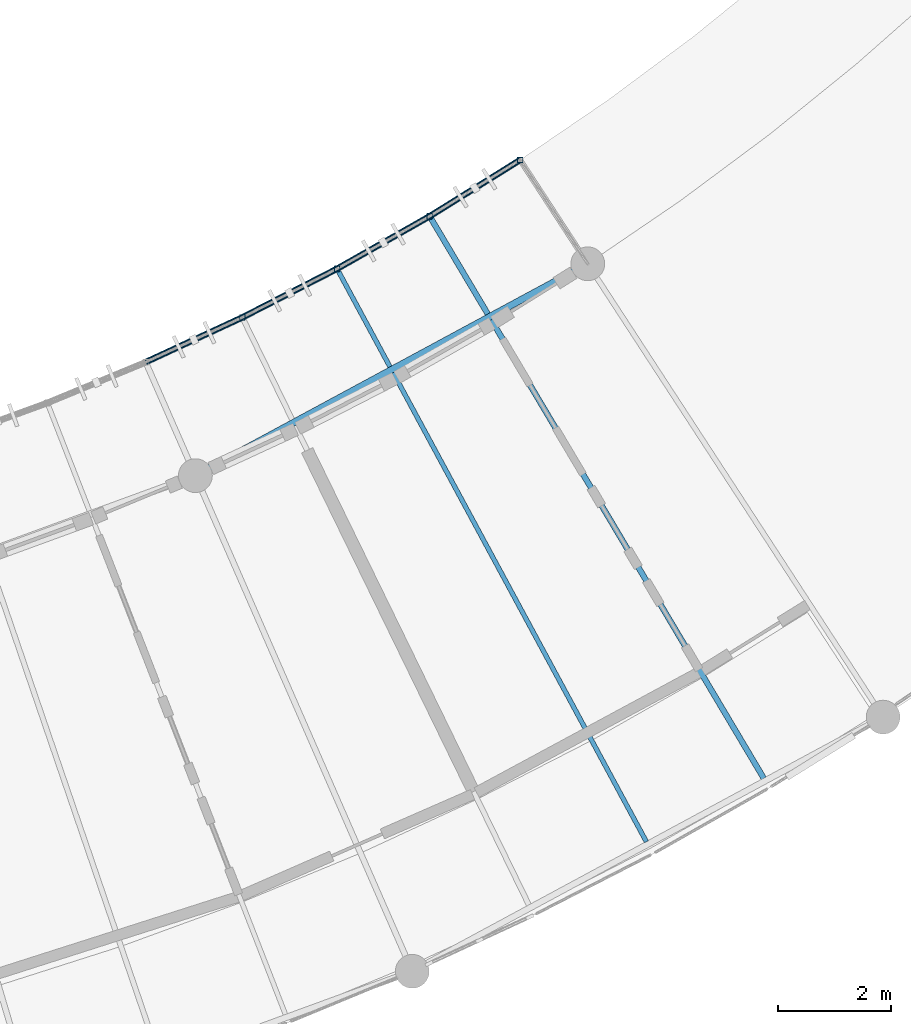
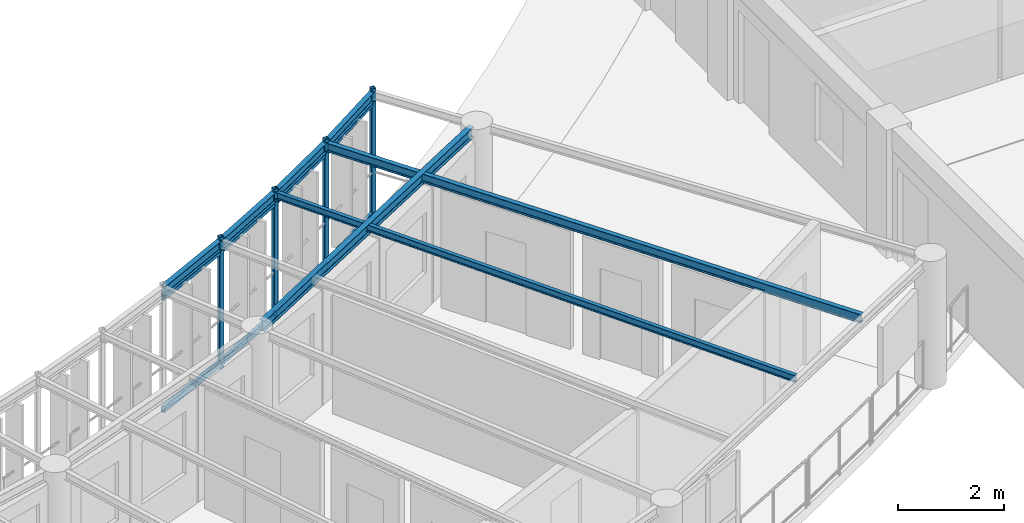
# One storey, part 21 of 100: 12 members, 7 beams.
"""IFC4 building model written with IfcOpenShell, lengths in metres."""

import ifcopenshell
import ifcopenshell.guid

model = None  # the IFC model being written
_history = None  # IfcOwnerHistory: only IFC2X3 demands one
_inside = {}  # id of a spatial element -> (the spatial element, [elements in it])
_under = {}  # id of a project, library or spatial element -> (it, [spatial elements below it])
_declared = {}  # id of a project -> (the project, [libraries it declares])
_typed = {}  # id of a type object -> (the type object, [elements of that type])
_made_of = {}  # id of a material, layer set ... -> (it, [elements and type objects made of it])


def new_model(schema):
    """Start an empty IFC model of exactly this schema.

    Asked for "IFC4X3", IfcOpenShell would pick the latest addendum, in which some entities
    have other attributes; the version numbers below select the first issue.
    IFC2X3 requires an IfcOwnerHistory on every rooted entity: one is made here for all.
    """
    global model, _history
    if schema == "IFC4X3":
        model = ifcopenshell.file(schema_version=(4, 3, 0, 0))
    else:
        model = ifcopenshell.file(schema=schema)
    _inside.clear()
    _under.clear()
    _declared.clear()
    _typed.clear()
    _made_of.clear()
    _history = None
    if model.schema == "IFC2X3":
        org = make("IfcOrganization", Name="unknown")
        user = make(
            "IfcPersonAndOrganization",
            ThePerson=make("IfcPerson", FamilyName="unknown"),
            TheOrganization=org,
        )
        app = make(
            "IfcApplication",
            ApplicationDeveloper=org,
            Version="unknown",
            ApplicationFullName="unknown",
            ApplicationIdentifier="unknown",
        )
        _history = make(
            "IfcOwnerHistory",
            OwningUser=user,
            OwningApplication=app,
            ChangeAction="ADDED",
            CreationDate=0,
        )
    return model


def make(cls, **values):
    """One entity of the class cls with the attributes given. An attribute that is None is left unset."""
    return model.create_entity(
        cls, **{name: value for name, value in values.items() if value is not None}
    )


def rooted(cls, **values):
    """An entity with a GlobalId (a new one), such as an element, a storey or a relation."""
    return make(cls, GlobalId=ifcopenshell.guid.new(), OwnerHistory=_history, **values)


def si_unit(unit_type, name, prefix=None):
    """IfcSIUnit, for example si_unit("LENGTHUNIT", "METRE", prefix="MILLI")."""
    return make("IfcSIUnit", UnitType=unit_type, Prefix=prefix, Name=name)


def assignment(units):
    """IfcUnitAssignment: the units of a project."""
    return None if units is None else make("IfcUnitAssignment", Units=units)


def point(xyz):
    """IfcCartesianPoint."""
    return None if xyz is None else make("IfcCartesianPoint", Coordinates=xyz)


def direction(xyz):
    """IfcDirection."""
    return None if xyz is None else make("IfcDirection", DirectionRatios=xyz)


def frame(location, z_axis=None, x_axis=None):
    """IfcAxis2Placement3D, a coordinate frame: its origin and axes. An axis left out is left unset."""
    return make(
        "IfcAxis2Placement3D",
        Location=point(location),
        Axis=direction(z_axis),
        RefDirection=direction(x_axis),
    )


def frame_2d(location, x_axis=None):
    """IfcAxis2Placement2D, a coordinate frame in the plane: its origin and x axis."""
    return make(
        "IfcAxis2Placement2D", Location=point(location), RefDirection=direction(x_axis)
    )


def origin():
    """The frame at (0, 0, 0) with its axes left unset."""
    return frame((0.0, 0.0, 0.0))


def origin_2d():
    """The frame at (0, 0) in the plane with its x axis left unset."""
    return frame_2d((0.0, 0.0))


def place(relative_to, where):
    """IfcLocalPlacement: puts the frame where relative to a parent placement (None: the world)."""
    return make(
        "IfcLocalPlacement", PlacementRelTo=relative_to, RelativePlacement=where
    )


def context(
    kind, dimensions, precision=None, world=None, true_north=None, identifier=None
):
    """IfcGeometricRepresentationContext, for example the 3D "Model" context."""
    return make(
        "IfcGeometricRepresentationContext",
        ContextIdentifier=identifier,
        ContextType=kind,
        CoordinateSpaceDimension=dimensions,
        Precision=precision,
        WorldCoordinateSystem=world,
        TrueNorth=true_north,
    )


def subcontext(parent, identifier, kind, view, scale=None):
    """IfcGeometricRepresentationSubContext, for example "Body" below "Model"."""
    return make(
        "IfcGeometricRepresentationSubContext",
        ContextIdentifier=identifier,
        ContextType=kind,
        ParentContext=parent,
        TargetScale=scale,
        TargetView=view,
    )


def project(units=None, contexts=None):
    """IfcProject with its units and contexts."""
    return rooted(
        "IfcProject",
        Name="project",
        RepresentationContexts=contexts,
        UnitsInContext=assignment(units),
    )


def spatial(cls, under=None, at=None, **own):
    """A site, building, storey or space (cls), placed at a placement, below another one or the project."""
    s = rooted(cls, ObjectPlacement=at, **own)
    if under is not None:
        _under.setdefault(under.id(), (under, []))[1].append(s)
    return s


def profile(cls, at=None, kind="AREA", **sizes):
    """A parametric profile (cls). Its sizes go by their IFC names, for example OverallWidth=200.0."""
    return make(cls, ProfileType=kind, Position=at, **sizes)


def hollow_rectangle(**sizes):
    """IfcRectangleHollowProfileDef."""
    return profile("IfcRectangleHollowProfileDef", **sizes)


def i_section(**sizes):
    """IfcIShapeProfileDef."""
    return profile("IfcIShapeProfileDef", **sizes)


def extrude(swept, where, along, depth):
    """IfcExtrudedAreaSolid: the profile swept, set in the frame where, extruded along a direction by depth."""
    return make(
        "IfcExtrudedAreaSolid",
        SweptArea=swept,
        Position=where,
        ExtrudedDirection=direction(along),
        Depth=depth,
    )


def shape(context_of_items, identifier, shape_type, items):
    """IfcShapeRepresentation: the items that make up one representation, for example the "Body"."""
    return make(
        "IfcShapeRepresentation",
        ContextOfItems=context_of_items,
        RepresentationIdentifier=identifier,
        RepresentationType=shape_type,
        Items=items,
    )


def material(Name=None, Category=None):
    """IfcMaterial."""
    return make("IfcMaterial", Name=Name, Category=Category)


def material_profile(
    of_material, cross_section, Name=None, Category=None, Priority=None
):
    """IfcMaterialProfile: a cross section and its material."""
    return make(
        "IfcMaterialProfile",
        Name=Name,
        Material=of_material,
        Profile=cross_section,
        Priority=Priority,
        Category=Category,
    )


def profile_set(profiles, Name=None, composite=None):
    """IfcMaterialProfileSet."""
    return make(
        "IfcMaterialProfileSet",
        Name=Name,
        MaterialProfiles=profiles,
        CompositeProfile=composite,
    )


def made_of(thing, what):
    """Note that an element or type object is made of a material, layer set ...; save() writes the relation."""
    if what is not None:
        _made_of.setdefault(what.id(), (what, []))[1].append(thing)
    return thing


def type_object(cls, material=None, **own):
    """A type object (cls), such as IfcWallType, which elements share."""
    return made_of(rooted(cls, **own), material)


def element(
    cls,
    number,
    at=None,
    inside=None,
    cuts=None,
    type_object=None,
    material=None,
    context=None,
    identifier="Body",
    shape_type=None,
    held_by="IfcProductDefinitionShape",
    body=None,
    shapes=None,
    **own,
):
    """One element of the class cls, such as IfcWall. Its Tag is "e" and its number.

    at: its placement. inside: the storey or other place that contains it. cuts: it is an
    opening in that element (IfcRelVoidsElement). A single representation is given by context,
    identifier, shape_type and body (its items); several are given by shapes. held_by: the class
    of the entity that holds the representations. save() writes the other relations.
    """
    e = rooted(cls, Tag="e%d" % number, ObjectPlacement=at, **own)
    if body is not None:
        shapes = [shape(context, identifier, shape_type, body)]
    if shapes is not None:
        e.Representation = make(held_by, Representations=shapes)
    if inside is not None:
        _inside.setdefault(inside.id(), (inside, []))[1].append(e)
    if cuts is not None:
        rooted(
            "IfcRelVoidsElement", RelatingBuildingElement=cuts, RelatedOpeningElement=e
        )
    if type_object is not None:
        _typed.setdefault(type_object.id(), (type_object, []))[1].append(e)
    return made_of(e, material)


def aggregate(whole, parts):
    """IfcRelAggregates: a whole, such as a stair, and the parts it consists of."""
    return rooted("IfcRelAggregates", RelatingObject=whole, RelatedObjects=parts)


def save(model, path):
    """Write the relations noted so far, then the file.

    IfcRelAggregates (storeys below a building ...), IfcRelContainedInSpatialStructure (elements
    in a storey), IfcRelDefinesByType, IfcRelAssociatesMaterial and IfcRelDeclares: one each for
    every whole, place, type object, material and project.
    """
    for whole, parts in _under.values():
        aggregate(whole, parts)
    for where, things in _inside.values():
        rooted(
            "IfcRelContainedInSpatialStructure",
            RelatedElements=things,
            RelatingStructure=where,
        )
    for kind, things in _typed.values():
        rooted("IfcRelDefinesByType", RelatedObjects=things, RelatingType=kind)
    for what, things in _made_of.values():
        rooted("IfcRelAssociatesMaterial", RelatedObjects=things, RelatingMaterial=what)
    for by, libraries in _declared.values():
        rooted("IfcRelDeclares", RelatingContext=by, RelatedDefinitions=libraries)
    model.write(path)


model = new_model("IFC4")

# Units and contexts
model_context = context("Model", 3, precision=1e-05, world=origin(), true_north=direction((0.0, 1.0)))
body_context = subcontext(model_context, "Body", "Model", "MODEL_VIEW")
ifc_project = project(units=[si_unit("LENGTHUNIT", "METRE"), si_unit("AREAUNIT", "SQUARE_METRE"), si_unit("VOLUMEUNIT", "CUBIC_METRE"), si_unit("PLANEANGLEUNIT", "RADIAN"), si_unit("MASSUNIT", "GRAM", prefix="KILO"), si_unit("POWERUNIT", "WATT"), si_unit("THERMODYNAMICTEMPERATUREUNIT", "KELVIN")], contexts=[model_context])

# Site, building, storey
site_placement = place(None, origin())
site = spatial("IfcSite", under=ifc_project, at=site_placement, CompositionType="ELEMENT")
building_placement = place(site_placement, origin())
building = spatial("IfcBuilding", under=site, at=building_placement, Name="Ruvembo Vaulted Housing Court", CompositionType="ELEMENT")
storey_placement = place(building_placement, frame((0.0, 0.0, 14.10009765625)))
storey = spatial("IfcBuildingStorey", under=building, at=storey_placement, Name="L04", CompositionType="ELEMENT", Elevation=14.10009765625)

# Beams
ifc_material = material(Name="Steel S355J2", Category="steel")
ifc_material_profile_1 = material_profile(ifc_material, i_section(OverallWidth=0.08203125, OverallDepth=0.159912109375, WebThickness=0.0048828125, FlangeThickness=0.00732421875, FilletRadius=0.009033203125, at=origin_2d()), Name="IPE 160")
ifc_profile_set_1 = profile_set([ifc_material_profile_1], Name="Steel S355J2")
beam_type_1 = type_object("IfcBeamType", Name="BM-ST-IPE160", PredefinedType="JOIST", material=ifc_profile_set_1)
beam_1_placement = place(storey_placement, frame((96.2470703125, 11.53125, 2.85986328125), z_axis=(-0.475075222071, 0.87994518771, 0.0), x_axis=(-0.87994518771, -0.475075222071, 0.0)))
element("IfcBeam", 1, at=beam_1_placement, inside=storey, type_object=beam_type_1, Name="Scoop SC2 L04 Radial Steel Joist 26", PredefinedType="JOIST", context=body_context, shape_type="SweptSolid", body=[
    extrude(i_section(OverallWidth=0.08203125, OverallDepth=0.159912109375, WebThickness=0.0048828125, FlangeThickness=0.00732421875, FilletRadius=0.009033203125, at=origin_2d()), origin(), (0.0, 0.0, 1.0), 11.593994140625),
])
ifc_material_profile_2 = material_profile(ifc_material, i_section(OverallWidth=0.10009765625, OverallDepth=0.199951171875, WebThickness=0.005615234375, FlangeThickness=0.008544921875, FilletRadius=0.011962890625, at=origin_2d()), Name="IPE 200")
ifc_profile_set_2 = profile_set([ifc_material_profile_2], Name="Steel S355J2")
beam_type_2 = type_object("IfcBeamType", Name="BM-ST-IPE200", PredefinedType="BEAM", material=ifc_profile_set_2)
beam_2_placement = place(storey_placement, frame((98.330078125, 12.656005859375, 2.83984375), z_axis=(-0.510954382563, 0.859607828571, 0.0), x_axis=(-0.859607828571, -0.510954382563, 0.0)))
element("IfcBeam", 2, at=beam_2_placement, inside=storey, type_object=beam_type_2, Name="Scoop SC2 L04 Radial Steel Joist 27", PredefinedType="BEAM", context=body_context, shape_type="SweptSolid", body=[
    extrude(i_section(OverallWidth=0.10009765625, OverallDepth=0.199951171875, WebThickness=0.005615234375, FlangeThickness=0.008544921875, FilletRadius=0.011962890625, at=origin_2d()), origin(), (0.0, 0.0, 1.0), 11.642822265625),
])
ifc_material_profile_3 = material_profile(ifc_material, i_section(OverallWidth=0.110107421875, OverallDepth=0.219970703125, WebThickness=0.005859375, FlangeThickness=0.00927734375, FilletRadius=0.011962890625, at=origin_2d()), Name="IPE 220")
ifc_profile_set_3 = profile_set([ifc_material_profile_3], Name="Steel S355J2")
beam_type_3 = type_object("IfcBeamType", Name="BM-ST-IPE220", PredefinedType="SPANDREL", material=ifc_profile_set_3)
for number, where, z_axis, x_axis, name in (
    (3, (87.362548828125, 20.042236328125, 2.829833984375), (0.907656578832, 0.419713634403, 0.0), (-0.419713634403, 0.907656578832, 0.0), "Scoop SC2 L04 Balcony Edge Spandrel 24"),
    (4, (89.077392578125, 20.835205078125, 2.829833984375), (0.889568437347, 0.45680192127, 0.0), (-0.45680192127, 0.889568437347, 0.0), "Scoop SC2 L04 Balcony Edge Spandrel 25"),
):
    element("IfcBeam", number, at=place(storey_placement, frame(where, z_axis=z_axis, x_axis=x_axis)), inside=storey, type_object=beam_type_3, Name=name, PredefinedType="SPANDREL", context=body_context, shape_type="SweptSolid", body=[
        extrude(i_section(OverallWidth=0.110107421875, OverallDepth=0.219970703125, WebThickness=0.005859375, FlangeThickness=0.00927734375, FilletRadius=0.011962890625, at=origin_2d()), origin(), (0.0, 0.0, 1.0), 1.889404296875),
    ])
for number, where, z_axis, x_axis, name in (
    (5, (90.758056640625, 21.6982421875, 2.829833984375), (0.869955662473, 0.493129947712, 0.0), (-0.493129947712, 0.869955662473, 0.0), "Scoop SC2 L04 Balcony Edge Spandrel 26"),
    (6, (92.401611328125, 22.6298828125, 2.829833984375), (0.848904567119, 0.52854615307, 0.0), (-0.52854615307, 0.848904567119, 0.0), "Scoop SC2 L04 Balcony Edge Spandrel 27"),
):
    element("IfcBeam", number, at=place(storey_placement, frame(where, z_axis=z_axis, x_axis=x_axis)), inside=storey, type_object=beam_type_3, Name=name, PredefinedType="SPANDREL", context=body_context, shape_type="SweptSolid", body=[
        extrude(i_section(OverallWidth=0.110107421875, OverallDepth=0.219970703125, WebThickness=0.005859375, FlangeThickness=0.00927734375, FilletRadius=0.011962890625, at=origin_2d()), origin(), (0.0, 0.0, 1.0), 1.88916015625),
    ])
ifc_material_profile_4 = material_profile(ifc_material, i_section(OverallWidth=0.1201171875, OverallDepth=0.239990234375, WebThickness=0.006103515625, FlangeThickness=0.009765625, FilletRadius=0.014892578125, at=origin_2d()), Name="IPE 240")
ifc_profile_set_4 = profile_set([ifc_material_profile_4], Name="Steel S355J2")
beam_type_4 = type_object("IfcBeamType", Name="BM-ST-IPE240", PredefinedType="BEAM", material=ifc_profile_set_4)
beam_3_placement = place(storey_placement, frame((88.411865234375, 18.1171875, 2.822021484375), z_axis=(0.879957434234, 0.475052538079, 0.0), x_axis=(-0.475052538079, 0.879957434234, 0.0)))
element("IfcBeam", 7, at=beam_3_placement, inside=storey, type_object=beam_type_4, Name="Scoop SC2 L04 Chord Girder F24", PredefinedType="BEAM", context=body_context, shape_type="SweptSolid", body=[
    extrude(i_section(OverallWidth=0.1201171875, OverallDepth=0.239990234375, WebThickness=0.006103515625, FlangeThickness=0.009765625, FilletRadius=0.014892578125, at=origin_2d()), origin(), (0.0, 0.0, 1.0), 7.531494140625),
])

# Members
ifc_material_profile_5 = material_profile(ifc_material, hollow_rectangle(XDim=0.06005859375, YDim=0.1201171875, WallThickness=0.0048828125, InnerFilletRadius=0.0048828125, OuterFilletRadius=0.010009765625, at=origin_2d()), Name="RHS 120x60x5")
ifc_profile_set_5 = profile_set([ifc_material_profile_5], Name="Steel S355J2")
member_type_1 = type_object("IfcMemberType", Name="MEM-CAR-RHS120", PredefinedType="CHORD", material=ifc_profile_set_5)
for number, where, z_axis, x_axis, name in (
    (8, (87.362548828125, 20.042236328125, 2.662841796875), (0.907656578832, 0.419713634403, 0.0), (-0.419713634403, 0.907656578832, 0.0), "Scoop SC2 L04 Upper Louvre Carrier Rail 24"),
    (9, (89.077392578125, 20.835205078125, 2.662841796875), (0.889568437347, 0.45680192127, 0.0), (-0.45680192127, 0.889568437347, 0.0), "Scoop SC2 L04 Upper Louvre Carrier Rail 25"),
):
    element("IfcMember", number, at=place(storey_placement, frame(where, z_axis=z_axis, x_axis=x_axis)), inside=storey, type_object=member_type_1, Name=name, PredefinedType="CHORD", context=body_context, shape_type="SweptSolid", body=[
        extrude(hollow_rectangle(XDim=0.06005859375, YDim=0.1201171875, WallThickness=0.0048828125, InnerFilletRadius=0.0048828125, OuterFilletRadius=0.010009765625, at=origin_2d()), origin(), (0.0, 0.0, 1.0), 1.889404296875),
    ])
for number, where, z_axis, x_axis, name in (
    (10, (90.758056640625, 21.6982421875, 2.662841796875), (0.869955662473, 0.493129947712, 0.0), (-0.493129947712, 0.869955662473, 0.0), "Scoop SC2 L04 Upper Louvre Carrier Rail 26"),
    (11, (92.401611328125, 22.6298828125, 2.662841796875), (0.848904567119, 0.52854615307, 0.0), (-0.52854615307, 0.848904567119, 0.0), "Scoop SC2 L04 Upper Louvre Carrier Rail 27"),
):
    element("IfcMember", number, at=place(storey_placement, frame(where, z_axis=z_axis, x_axis=x_axis)), inside=storey, type_object=member_type_1, Name=name, PredefinedType="CHORD", context=body_context, shape_type="SweptSolid", body=[
        extrude(hollow_rectangle(XDim=0.06005859375, YDim=0.1201171875, WallThickness=0.0048828125, InnerFilletRadius=0.0048828125, OuterFilletRadius=0.010009765625, at=origin_2d()), origin(), (0.0, 0.0, 1.0), 1.88916015625),
    ])
ifc_material_profile_6 = material_profile(ifc_material, hollow_rectangle(XDim=0.080078125, YDim=0.14990234375, WallThickness=0.00634765625, InnerFilletRadius=0.00634765625, OuterFilletRadius=0.0126953125, at=origin_2d()), Name="RHS 150x80x6.3")
ifc_profile_set_6 = profile_set([ifc_material_profile_6], Name="Steel S355J2")
member_type_2 = type_object("IfcMemberType", Name="MEM-CAR-RHS150", PredefinedType="CHORD", material=ifc_profile_set_6)
for number, where, z_axis, x_axis, name in (
    (12, (87.362548828125, 20.042236328125, 0.094970703125), (0.907656578832, 0.419713634403, 0.0), (-0.419713634403, 0.907656578832, 0.0), "Scoop SC2 L04 Lower Louvre Carrier Rail 24"),
    (13, (89.077392578125, 20.835205078125, 0.094970703125), (0.889568437347, 0.45680192127, 0.0), (-0.45680192127, 0.889568437347, 0.0), "Scoop SC2 L04 Lower Louvre Carrier Rail 25"),
):
    element("IfcMember", number, at=place(storey_placement, frame(where, z_axis=z_axis, x_axis=x_axis)), inside=storey, type_object=member_type_2, Name=name, PredefinedType="CHORD", context=body_context, shape_type="SweptSolid", body=[
        extrude(hollow_rectangle(XDim=0.080078125, YDim=0.14990234375, WallThickness=0.00634765625, InnerFilletRadius=0.00634765625, OuterFilletRadius=0.0126953125, at=origin_2d()), origin(), (0.0, 0.0, 1.0), 1.889404296875),
    ])
for number, where, z_axis, x_axis, name in (
    (14, (90.758056640625, 21.6982421875, 0.094970703125), (0.869955662473, 0.493129947712, 0.0), (-0.493129947712, 0.869955662473, 0.0), "Scoop SC2 L04 Lower Louvre Carrier Rail 26"),
    (15, (92.401611328125, 22.6298828125, 0.094970703125), (0.848904567119, 0.52854615307, 0.0), (-0.52854615307, 0.848904567119, 0.0), "Scoop SC2 L04 Lower Louvre Carrier Rail 27"),
):
    element("IfcMember", number, at=place(storey_placement, frame(where, z_axis=z_axis, x_axis=x_axis)), inside=storey, type_object=member_type_2, Name=name, PredefinedType="CHORD", context=body_context, shape_type="SweptSolid", body=[
        extrude(hollow_rectangle(XDim=0.080078125, YDim=0.14990234375, WallThickness=0.00634765625, InnerFilletRadius=0.00634765625, OuterFilletRadius=0.0126953125, at=origin_2d()), origin(), (0.0, 0.0, 1.0), 1.88916015625),
    ])
ifc_material_profile_7 = material_profile(ifc_material, hollow_rectangle(XDim=0.10009765625, YDim=0.10009765625, WallThickness=0.00634765625, InnerFilletRadius=0.00634765625, OuterFilletRadius=0.0126953125, at=origin_2d()), Name="SHS 100x100x6.3")
ifc_profile_set_7 = profile_set([ifc_material_profile_7], Name="Steel S355J2")
member_type_3 = type_object("IfcMemberType", Name="MEM-FRM-SHS100", PredefinedType="STRUT", material=ifc_profile_set_7)
for number, where, z_axis, x_axis, name in (
    (16, (89.077392578125, 20.835205078125, -0.01513671875), (0.0, 0.0, 1.0), (1.0, 0.0, 0.0), "Scoop SC2 L04 Louvre Frame Post 25"),
    (17, (90.758056640625, 21.6982421875, -0.01513671875), (0.0, 0.0, 1.0), (1.0, 0.0, 0.0), "Scoop SC2 L04 Louvre Frame Post 26"),
    (18, (92.401611328125, 22.6298828125, -0.01513671875), (0.0, 0.0, 1.0), (1.0, 0.0, 0.0), "Scoop SC2 L04 Louvre Frame Post 27"),
    (19, (94.00537109375, 23.62841796875, -0.01513671875), (0.0, 0.0, 1.0), (1.0, 0.0, 0.0), "Scoop SC2 L04 Louvre End Post"),
):
    element("IfcMember", number, at=place(storey_placement, frame(where, z_axis=z_axis, x_axis=x_axis)), inside=storey, type_object=member_type_3, Name=name, PredefinedType="STRUT", context=body_context, shape_type="SweptSolid", body=[
        extrude(hollow_rectangle(XDim=0.10009765625, YDim=0.10009765625, WallThickness=0.00634765625, InnerFilletRadius=0.00634765625, OuterFilletRadius=0.0126953125, at=origin_2d()), origin(), (0.0, 0.0, 1.0), 3.02294921875),
    ])

save(model, "model.ifc")
